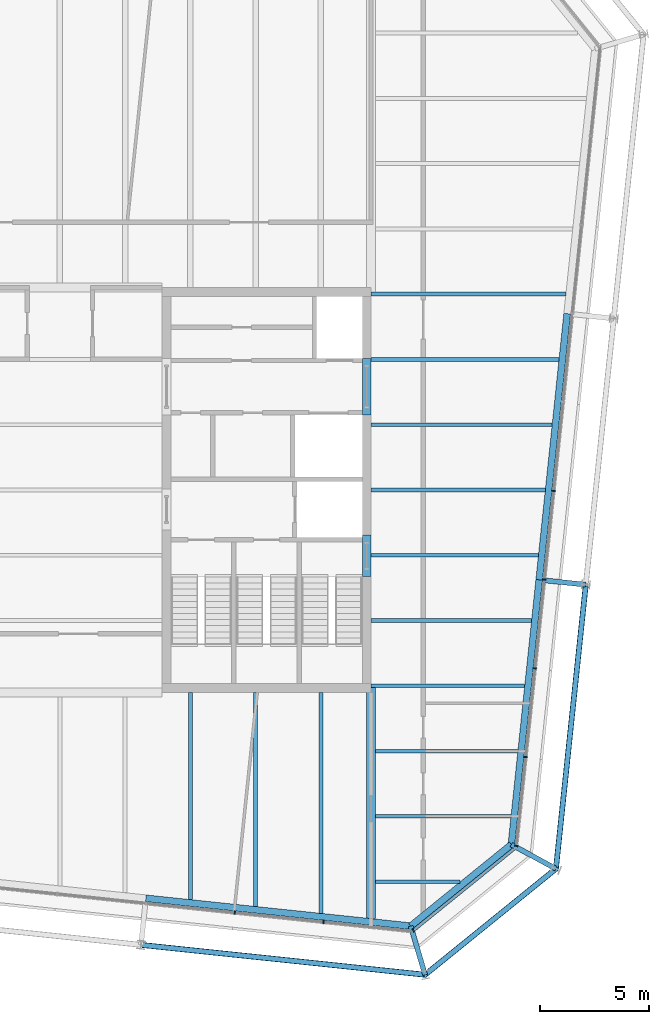
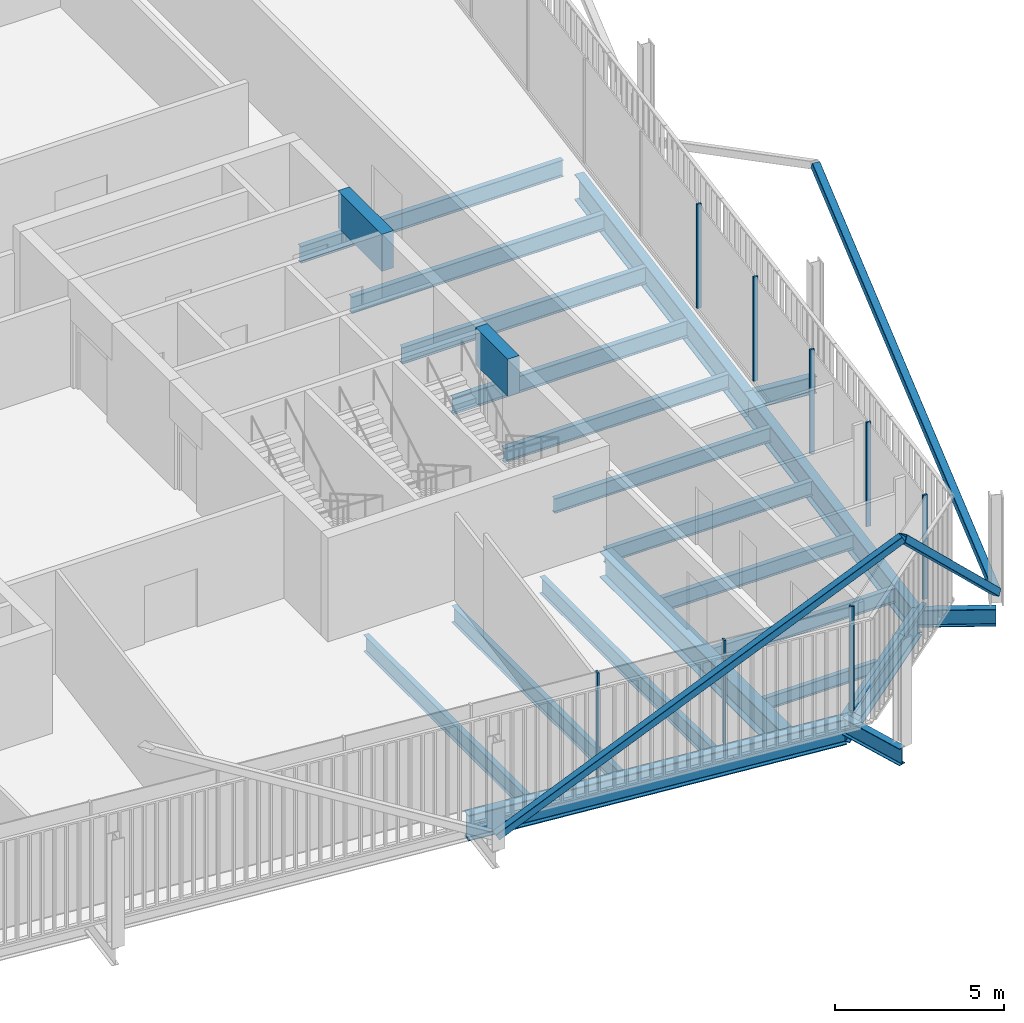
# One storey, part 9 of 21: 23 beams, 12 members, 3 elements without a shape of their own.
"""IFC4 building model written with IfcOpenShell, lengths in metres."""

from ifc_helpers import new_model, si_unit, direction, frame, origin, origin_2d, place, context, subcontext, project, spatial, rectangle, hollow_rectangle, i_section, extrude, material, layer, layer_set, material_profile, profile_set, type_object, element, aggregate, save


model = new_model("IFC4")

# Units and contexts
model_context = context("Model", 3, precision=1e-05, world=origin(), true_north=direction((0.0, 1.0)))
body_context = subcontext(model_context, "Body", "Model", "MODEL_VIEW")
ifc_project = project(units=[si_unit("LENGTHUNIT", "METRE"), si_unit("AREAUNIT", "SQUARE_METRE"), si_unit("VOLUMEUNIT", "CUBIC_METRE"), si_unit("PLANEANGLEUNIT", "RADIAN"), si_unit("MASSUNIT", "GRAM", prefix="KILO")], contexts=[model_context])

# Site, building, storey
site_placement = place(None, origin())
site = spatial("IfcSite", under=ifc_project, at=site_placement, CompositionType="ELEMENT")
building_placement = place(site_placement, origin())
building = spatial("IfcBuilding", under=site, at=building_placement, Name="Millrace Tower", CompositionType="ELEMENT")
storey_placement = place(building_placement, frame((0.0, 0.0, 299.39990234375)))
storey = spatial("IfcBuildingStorey", under=building, at=storey_placement, Name="L69", CompositionType="ELEMENT", Elevation=299.39990234375)

# Curtain wall, members
ifc_material_1 = material(Name="Aluminium and glass", Category="aluminium")
ifc_layer = layer(ifc_material_1, 0.14990234375)
ifc_layer_set = layer_set([ifc_layer], Name="Aluminium and glass")
curtain_wall_type = type_object("IfcCurtainWallType", Name="CW-1 office vision curtain wall", PredefinedType="NOTDEFINED", material=ifc_layer_set)
placement = place(storey_placement, origin())
curtain_wall_1 = element("IfcCurtainWall", 1, at=placement, inside=storey, type_object=curtain_wall_type, Name="Curtain wall E-F02 L69", PredefinedType="NOTDEFINED")
ifc_material_2 = material(Name="Aluminium", Category="aluminium")
ifc_material_profile_1 = material_profile(ifc_material_2, rectangle(XDim=0.06494140625, YDim=0.14990234375, at=origin_2d()))
ifc_profile_set_1 = profile_set([ifc_material_profile_1], Name="Aluminium")
member_type_1 = type_object("IfcMemberType", Name="CW-1 office vision curtain wall mullion", PredefinedType="MULLION", material=ifc_profile_set_1)
member_1_placement = place(storey_placement, frame((8.040283203125, -19.4248046875, 0.14013671875), z_axis=(0.0, 0.0, 1.0), x_axis=(0.994521896217, -0.104528455196, 0.0)))
member_1 = element("IfcMember", 2, at=member_1_placement, type_object=member_type_1, Name="CW1 mullion E-F02.8", PredefinedType="MULLION", context=body_context, shape_type="SweptSolid", body=[
    extrude(rectangle(XDim=0.06494140625, YDim=0.14990234375, at=origin_2d()), origin(), (0.0, 0.0, 1.0), 3.760009765625),
])
member_2_placement = place(storey_placement, frame((12.117919921875, -19.853271484375, 0.14013671875), z_axis=(0.0, 0.0, 1.0), x_axis=(0.994521896217, -0.104528455196, 0.0)))
member_2 = element("IfcMember", 3, at=member_2_placement, type_object=member_type_1, Name="CW1 mullion E-F02.9", PredefinedType="MULLION", context=body_context, shape_type="SweptSolid", body=[
    extrude(rectangle(XDim=0.06494140625, YDim=0.14990234375, at=origin_2d()), origin(), (0.0, 0.0, 1.0), 3.760009765625),
])
aggregate(curtain_wall_1, [member_1, member_2])

# Curtain wall, member
curtain_wall_2 = element("IfcCurtainWall", 4, at=placement, inside=storey, type_object=curtain_wall_type, Name="Curtain wall E-F03 L69", PredefinedType="NOTDEFINED")
member_3_placement = place(storey_placement, frame((16.243408203125, -20.24169921875, 0.14013671875), z_axis=(0.0, 0.0, 1.0), x_axis=(0.777146052237, 0.629320278945, 0.0)))
member_3 = element("IfcMember", 5, at=member_3_placement, type_object=member_type_1, Name="CW1 mullion E-F03.1", PredefinedType="MULLION", context=body_context, shape_type="SweptSolid", body=[
    extrude(rectangle(XDim=0.06494140625, YDim=0.14990234375, at=origin_2d()), origin(), (0.0, 0.0, 1.0), 3.760009765625),
])

# Curtain wall, members
curtain_wall_3 = element("IfcCurtainWall", 6, at=placement, inside=storey, type_object=curtain_wall_type, Name="Curtain wall E-F04 L69", PredefinedType="NOTDEFINED")
member_4_placement = place(storey_placement, frame((20.974853515625, -16.3525390625, 0.14013671875), z_axis=(0.0, 0.0, 1.0), x_axis=(0.104528455196, 0.994521896217, 0.0)))
member_4 = element("IfcMember", 7, at=member_4_placement, type_object=member_type_1, Name="CW1 mullion E-F04.1", PredefinedType="MULLION", context=body_context, shape_type="SweptSolid", body=[
    extrude(rectangle(XDim=0.06494140625, YDim=0.14990234375, at=origin_2d()), origin(), (0.0, 0.0, 1.0), 3.760009765625),
])
member_5_placement = place(storey_placement, frame((21.4033203125, -12.27490234375, 0.14013671875), z_axis=(0.0, 0.0, 1.0), x_axis=(0.104528455196, 0.994521896217, 0.0)))
member_5 = element("IfcMember", 8, at=member_5_placement, type_object=member_type_1, Name="CW1 mullion E-F04.2", PredefinedType="MULLION", context=body_context, shape_type="SweptSolid", body=[
    extrude(rectangle(XDim=0.06494140625, YDim=0.14990234375, at=origin_2d()), origin(), (0.0, 0.0, 1.0), 3.760009765625),
])
member_6_placement = place(storey_placement, frame((21.83203125, -8.197509765625, 0.14013671875), z_axis=(0.0, 0.0, 1.0), x_axis=(0.104528455196, 0.994521896217, 0.0)))
member_6 = element("IfcMember", 9, at=member_6_placement, type_object=member_type_1, Name="CW1 mullion E-F04.3", PredefinedType="MULLION", context=body_context, shape_type="SweptSolid", body=[
    extrude(rectangle(XDim=0.06494140625, YDim=0.14990234375, at=origin_2d()), origin(), (0.0, 0.0, 1.0), 3.760009765625),
])
member_7_placement = place(storey_placement, frame((22.260498046875, -4.119873046875, 0.14013671875), z_axis=(0.0, 0.0, 1.0), x_axis=(0.104528455196, 0.994521896217, 0.0)))
member_7 = element("IfcMember", 10, at=member_7_placement, type_object=member_type_1, Name="CW1 mullion E-F04.4", PredefinedType="MULLION", context=body_context, shape_type="SweptSolid", body=[
    extrude(rectangle(XDim=0.06494140625, YDim=0.14990234375, at=origin_2d()), origin(), (0.0, 0.0, 1.0), 3.760009765625),
])
member_8_placement = place(storey_placement, frame((22.68896484375, -0.042236328125, 0.14013671875), z_axis=(0.0, 0.0, 1.0), x_axis=(0.104528455196, 0.994521896217, 0.0)))
member_8 = element("IfcMember", 11, at=member_8_placement, type_object=member_type_1, Name="CW1 mullion E-F04.5", PredefinedType="MULLION", context=body_context, shape_type="SweptSolid", body=[
    extrude(rectangle(XDim=0.06494140625, YDim=0.14990234375, at=origin_2d()), origin(), (0.0, 0.0, 1.0), 3.760009765625),
])
aggregate(curtain_wall_3, [member_4, member_5, member_6, member_7, member_8])

# Member
ifc_material_3 = material(Name="Aluminium", Category="aluminium")
ifc_material_profile_2 = material_profile(ifc_material_3, rectangle(XDim=0.14990234375, YDim=0.139892578125, at=origin_2d()))
ifc_profile_set_2 = profile_set([ifc_material_profile_2], Name="Aluminium")
member_type_2 = type_object("IfcMemberType", Name="CW-1 office vision curtain wall transom", PredefinedType="USERDEFINED", material=ifc_profile_set_2)
member_9_placement = place(storey_placement, frame((16.2958984375, -20.19921875, 0.070068359375), z_axis=(0.77714915117, 0.629316452061, 0.0), x_axis=(-0.629316452061, 0.77714915117, 0.0)))
member_9 = element("IfcMember", 12, at=member_9_placement, type_object=member_type_2, Name="CW1 transom E-F03.1", ObjectType="TRANSOM", PredefinedType="USERDEFINED", context=body_context, shape_type="SweptSolid", body=[
    extrude(rectangle(XDim=0.14990234375, YDim=0.139892578125, at=origin_2d()), origin(), (0.0, 0.0, 1.0), 5.880859375),
])

aggregate(curtain_wall_2, [member_3, member_9])

# Beams
ifc_material_4 = material(Name="Concrete C60", Category="concrete")
ifc_material_profile_3 = material_profile(ifc_material_4, rectangle(XDim=0.39990234375, YDim=1.340087890625, at=origin_2d()))
ifc_profile_set_3 = profile_set([ifc_material_profile_3], Name="Concrete C60")
beam_type_1 = type_object("IfcBeamType", Name="Coupling beam 400 x 1340 Concrete C60, 1300 opening", PredefinedType="BEAM", material=ifc_profile_set_3)
beam_1_placement = place(storey_placement, frame((14.10009765625, -2.080078125, 3.070068359375), z_axis=(0.0, -1.0, 0.0), x_axis=(1.0, 0.0, 0.0)))
element("IfcBeam", 13, at=beam_1_placement, inside=storey, type_object=beam_type_1, Name="Coupling beam E L69", PredefinedType="BEAM", context=body_context, shape_type="SweptSolid", body=[
    extrude(rectangle(XDim=0.39990234375, YDim=1.340087890625, at=origin_2d()), origin(), (0.0, 0.0, 1.0), 1.89990234375),
])
ifc_material_5 = material(Name="Concrete C60", Category="concrete")
ifc_material_profile_4 = material_profile(ifc_material_5, rectangle(XDim=0.39990234375, YDim=1.340087890625, at=origin_2d()))
ifc_profile_set_4 = profile_set([ifc_material_profile_4], Name="Concrete C60")
beam_type_2 = type_object("IfcBeamType", Name="Coupling beam 400 x 1340 Concrete C60, 2000 opening", PredefinedType="BEAM", material=ifc_profile_set_4)
beam_2_placement = place(storey_placement, frame((14.10009765625, 6.050048828125, 3.070068359375), z_axis=(0.0, -1.0, 0.0), x_axis=(1.0, 0.0, 0.0)))
element("IfcBeam", 14, at=beam_2_placement, inside=storey, type_object=beam_type_2, Name="Coupling beam E L69", PredefinedType="BEAM", context=body_context, shape_type="SweptSolid", body=[
    extrude(rectangle(XDim=0.39990234375, YDim=1.340087890625, at=origin_2d()), origin(), (0.0, 0.0, 1.0), 2.60009765625),
])

# Members
ifc_material_6 = material(Name="Steel ASTM A500 Grade C", Category="steel")
ifc_material_profile_5 = material_profile(ifc_material_6, hollow_rectangle(XDim=0.25390625, YDim=0.25390625, WallThickness=0.0126953125, InnerFilletRadius=0.00634765625, OuterFilletRadius=0.01904296875, at=origin_2d()))
ifc_profile_set_5 = profile_set([ifc_material_profile_5], Name="Steel ASTM A500 Grade C")
member_type_3 = type_object("IfcMemberType", Name="Exoskeleton brace HSS10x10x1/2", PredefinedType="BRACE", material=ifc_profile_set_5)
member_10_placement = place(storey_placement, frame((3.729248046875, -20.9072265625, 0.400146484375), z_axis=(0.877568210125, -0.092238278747, 0.470495628578), x_axis=(0.104530865473, 0.994521642883, 0.0)))
element("IfcMember", 15, at=member_10_placement, inside=storey, type_object=member_type_3, Name="BRC-E-L69-04", PredefinedType="BRACE", context=body_context, shape_type="SweptSolid", body=[
    extrude(hollow_rectangle(XDim=0.25390625, YDim=0.25390625, WallThickness=0.0126953125, InnerFilletRadius=0.00634765625, OuterFilletRadius=0.01904296875, at=origin_2d()), origin(), (0.0, 0.0, 1.0), 14.8779296875),
])
member_11_placement = place(storey_placement, frame((22.79931640625, -17.409912109375, 0.400146484375), z_axis=(-0.576329152125, -0.466688099557, 0.670855369021), x_axis=(0.629308952043, -0.777155224442, 0.0)))
element("IfcMember", 16, at=member_11_placement, inside=storey, type_object=member_type_3, Name="BRC-E-L69-05", PredefinedType="BRACE", context=body_context, shape_type="SweptSolid", body=[
    extrude(hollow_rectangle(XDim=0.25390625, YDim=0.25390625, WallThickness=0.0126953125, InnerFilletRadius=0.00634765625, OuterFilletRadius=0.01904296875, at=origin_2d()), origin(), (0.0, 0.0, 1.0), 10.434326171875),
])
member_12_placement = place(storey_placement, frame((22.79931640625, -17.409912109375, 0.400146484375), z_axis=(0.092236950483, 0.877571982182, 0.470488853274), x_axis=(-0.994521846076, 0.104528932251, 0.0)))
element("IfcMember", 17, at=member_12_placement, inside=storey, type_object=member_type_3, Name="BRC-E-L69-06", PredefinedType="BRACE", context=body_context, shape_type="SweptSolid", body=[
    extrude(hollow_rectangle(XDim=0.25390625, YDim=0.25390625, WallThickness=0.0126953125, InnerFilletRadius=0.00634765625, OuterFilletRadius=0.01904296875, at=origin_2d()), origin(), (0.0, 0.0, 1.0), 14.878173828125),
])

# Beams
ifc_material_7 = material(Name="Steel ASTM A992 Grade 50", Category="steel")
ifc_material_profile_6 = material_profile(ifc_material_7, i_section(OverallWidth=0.15234375, OverallDepth=0.449462890625, WebThickness=0.007568359375, FlangeThickness=0.0107421875, FilletRadius=0.01025390625, at=origin_2d()))
ifc_profile_set_6 = profile_set([ifc_material_profile_6], Name="Steel ASTM A992 Grade 50")
beam_type_3 = type_object("IfcBeamType", Name="Floor beam W18x35", PredefinedType="JOIST", material=ifc_profile_set_6)
beam_3_placement = place(storey_placement, frame((14.509521484375, -18.0, -0.384765625), z_axis=(1.0, 0.0, 0.0), x_axis=(0.0, 1.0, 0.0)))
element("IfcBeam", 18, at=beam_3_placement, inside=storey, type_object=beam_type_3, Name="BM-E-L69-S1-S001", PredefinedType="JOIST", context=body_context, shape_type="SweptSolid", body=[
    extrude(i_section(OverallWidth=0.15234375, OverallDepth=0.449462890625, WebThickness=0.007568359375, FlangeThickness=0.0107421875, FilletRadius=0.01025390625, at=origin_2d()), origin(), (0.0, 0.0, 1.0), 3.87060546875),
])
ifc_material_8 = material(Name="Steel ASTM A992 Grade 50", Category="steel")
ifc_material_profile_7 = material_profile(ifc_material_8, i_section(OverallWidth=0.1650390625, OverallDepth=0.52587890625, WebThickness=0.0087890625, FlangeThickness=0.011474609375, FilletRadius=0.0126953125, at=origin_2d()))
ifc_profile_set_7 = profile_set([ifc_material_profile_7], Name="Steel ASTM A992 Grade 50")
beam_type_4 = type_object("IfcBeamType", Name="Floor beam W21x44", PredefinedType="JOIST", material=ifc_profile_set_7)
beam_4_placement = place(storey_placement, frame((14.509521484375, -15.0, -0.4228515625), z_axis=(1.0, 0.0, 0.0), x_axis=(0.0, 1.0, 0.0)))
element("IfcBeam", 19, at=beam_4_placement, inside=storey, type_object=beam_type_4, Name="BM-E-L69-S1-S003", PredefinedType="JOIST", context=body_context, shape_type="SweptSolid", body=[
    extrude(i_section(OverallWidth=0.1650390625, OverallDepth=0.52587890625, WebThickness=0.0087890625, FlangeThickness=0.011474609375, FilletRadius=0.0126953125, at=origin_2d()), origin(), (0.0, 0.0, 1.0), 6.222900390625),
])
beam_5_placement = place(storey_placement, frame((14.509521484375, -12.0, -0.4228515625), z_axis=(1.0, 0.0, 0.0), x_axis=(0.0, 1.0, 0.0)))
element("IfcBeam", 20, at=beam_5_placement, inside=storey, type_object=beam_type_4, Name="BM-E-L69-S1-S005", PredefinedType="JOIST", context=body_context, shape_type="SweptSolid", body=[
    extrude(i_section(OverallWidth=0.1650390625, OverallDepth=0.52587890625, WebThickness=0.0087890625, FlangeThickness=0.011474609375, FilletRadius=0.0126953125, at=origin_2d()), origin(), (0.0, 0.0, 1.0), 6.538330078125),
])
beam_6_placement = place(storey_placement, frame((14.300048828125, -9.0, -0.4228515625), z_axis=(1.0, 0.0, 0.0), x_axis=(0.0, 1.0, 0.0)))
element("IfcBeam", 21, at=beam_6_placement, inside=storey, type_object=beam_type_4, Name="BM-E-L69-S1-S007", PredefinedType="JOIST", context=body_context, shape_type="SweptSolid", body=[
    extrude(i_section(OverallWidth=0.1650390625, OverallDepth=0.52587890625, WebThickness=0.0087890625, FlangeThickness=0.011474609375, FilletRadius=0.0126953125, at=origin_2d()), origin(), (0.0, 0.0, 1.0), 7.06298828125),
])
beam_7_placement = place(storey_placement, frame((14.300048828125, -6.0, -0.4228515625), z_axis=(1.0, 0.0, 0.0), x_axis=(0.0, 1.0, 0.0)))
element("IfcBeam", 22, at=beam_7_placement, inside=storey, type_object=beam_type_4, Name="BM-E-L69-S1-S010", PredefinedType="JOIST", context=body_context, shape_type="SweptSolid", body=[
    extrude(i_section(OverallWidth=0.1650390625, OverallDepth=0.52587890625, WebThickness=0.0087890625, FlangeThickness=0.011474609375, FilletRadius=0.0126953125, at=origin_2d()), origin(), (0.0, 0.0, 1.0), 7.37841796875),
])
beam_8_placement = place(storey_placement, frame((14.300048828125, -3.0, -0.4228515625), z_axis=(1.0, 0.0, 0.0), x_axis=(0.0, 1.0, 0.0)))
element("IfcBeam", 23, at=beam_8_placement, inside=storey, type_object=beam_type_4, Name="BM-E-L69-S1-S013", PredefinedType="JOIST", context=body_context, shape_type="SweptSolid", body=[
    extrude(i_section(OverallWidth=0.1650390625, OverallDepth=0.52587890625, WebThickness=0.0087890625, FlangeThickness=0.011474609375, FilletRadius=0.0126953125, at=origin_2d()), origin(), (0.0, 0.0, 1.0), 7.693603515625),
])
ifc_material_9 = material(Name="Steel ASTM A992 Grade 50", Category="steel")
ifc_material_profile_8 = material_profile(ifc_material_9, i_section(OverallWidth=0.177978515625, OverallDepth=0.599365234375, WebThickness=0.010009765625, FlangeThickness=0.012939453125, FilletRadius=0.012939453125, at=origin_2d()))
ifc_profile_set_8 = profile_set([ifc_material_profile_8], Name="Steel ASTM A992 Grade 50")
beam_type_5 = type_object("IfcBeamType", Name="Floor beam W24x55", PredefinedType="JOIST", material=ifc_profile_set_8)
beam_9_placement = place(storey_placement, frame((14.300048828125, 0.0, -0.459716796875), z_axis=(1.0, 0.0, 0.0), x_axis=(0.0, 1.0, 0.0)))
element("IfcBeam", 24, at=beam_9_placement, inside=storey, type_object=beam_type_5, Name="BM-E-L69-S1-S016", PredefinedType="JOIST", context=body_context, shape_type="SweptSolid", body=[
    extrude(i_section(OverallWidth=0.177978515625, OverallDepth=0.599365234375, WebThickness=0.010009765625, FlangeThickness=0.012939453125, FilletRadius=0.012939453125, at=origin_2d()), origin(), (0.0, 0.0, 1.0), 8.009033203125),
])
beam_10_placement = place(storey_placement, frame((14.300048828125, 3.0, -0.459716796875), z_axis=(1.0, 0.0, 0.0), x_axis=(0.0, 1.0, 0.0)))
element("IfcBeam", 25, at=beam_10_placement, inside=storey, type_object=beam_type_5, Name="BM-E-L69-S1-S019", PredefinedType="JOIST", context=body_context, shape_type="SweptSolid", body=[
    extrude(i_section(OverallWidth=0.177978515625, OverallDepth=0.599365234375, WebThickness=0.010009765625, FlangeThickness=0.012939453125, FilletRadius=0.012939453125, at=origin_2d()), origin(), (0.0, 0.0, 1.0), 8.324462890625),
])
beam_11_placement = place(storey_placement, frame((14.300048828125, 6.0, -0.459716796875), z_axis=(1.0, 0.0, 0.0), x_axis=(0.0, 1.0, 0.0)))
element("IfcBeam", 26, at=beam_11_placement, inside=storey, type_object=beam_type_5, Name="BM-E-L69-S1-S022", PredefinedType="JOIST", context=body_context, shape_type="SweptSolid", body=[
    extrude(i_section(OverallWidth=0.177978515625, OverallDepth=0.599365234375, WebThickness=0.010009765625, FlangeThickness=0.012939453125, FilletRadius=0.012939453125, at=origin_2d()), origin(), (0.0, 0.0, 1.0), 8.6396484375),
])
beam_12_placement = place(storey_placement, frame((14.300048828125, 9.0, -0.459716796875), z_axis=(1.0, 0.0, 0.0), x_axis=(0.0, 1.0, 0.0)))
element("IfcBeam", 27, at=beam_12_placement, inside=storey, type_object=beam_type_5, Name="BM-E-L69-S1-S024", PredefinedType="JOIST", context=body_context, shape_type="SweptSolid", body=[
    extrude(i_section(OverallWidth=0.177978515625, OverallDepth=0.599365234375, WebThickness=0.010009765625, FlangeThickness=0.012939453125, FilletRadius=0.012939453125, at=origin_2d()), origin(), (0.0, 0.0, 1.0), 8.955078125),
])
beam_13_placement = place(storey_placement, frame((6.0, -18.825927734375, -0.459716796875), z_axis=(0.0, 1.0, 0.0), x_axis=(-1.0, 0.0, 0.0)))
element("IfcBeam", 28, at=beam_13_placement, inside=storey, type_object=beam_type_5, Name="BM-E-L69-S1-S049", PredefinedType="JOIST", context=body_context, shape_type="SweptSolid", body=[
    extrude(i_section(OverallWidth=0.177978515625, OverallDepth=0.599365234375, WebThickness=0.010009765625, FlangeThickness=0.012939453125, FilletRadius=0.012939453125, at=origin_2d()), origin(), (0.0, 0.0, 1.0), 9.52587890625),
])
beam_14_placement = place(storey_placement, frame((9.0, -19.14111328125, -0.459716796875), z_axis=(0.0, 1.0, 0.0), x_axis=(-1.0, 0.0, 0.0)))
element("IfcBeam", 29, at=beam_14_placement, inside=storey, type_object=beam_type_5, Name="BM-E-L69-S1-S051", PredefinedType="JOIST", context=body_context, shape_type="SweptSolid", body=[
    extrude(i_section(OverallWidth=0.177978515625, OverallDepth=0.599365234375, WebThickness=0.010009765625, FlangeThickness=0.012939453125, FilletRadius=0.012939453125, at=origin_2d()), origin(), (0.0, 0.0, 1.0), 9.841064453125),
])
ifc_material_10 = material(Name="Steel ASTM A992 Grade 50", Category="steel")
ifc_material_profile_9 = material_profile(ifc_material_10, i_section(OverallWidth=0.1787109375, OverallDepth=0.60205078125, WebThickness=0.010986328125, FlangeThickness=0.014892578125, FilletRadius=0.0126953125, at=origin_2d()))
ifc_profile_set_9 = profile_set([ifc_material_profile_9], Name="Steel ASTM A992 Grade 50")
beam_type_6 = type_object("IfcBeamType", Name="Floor beam W24x62", PredefinedType="JOIST", material=ifc_profile_set_9)
beam_15_placement = place(storey_placement, frame((12.0, -19.45654296875, -0.4609375), z_axis=(0.0, 1.0, 0.0), x_axis=(-1.0, 0.0, 0.0)))
element("IfcBeam", 30, at=beam_15_placement, inside=storey, type_object=beam_type_6, Name="BM-E-L69-S1-S053", PredefinedType="JOIST", context=body_context, shape_type="SweptSolid", body=[
    extrude(i_section(OverallWidth=0.1787109375, OverallDepth=0.60205078125, WebThickness=0.010986328125, FlangeThickness=0.014892578125, FilletRadius=0.0126953125, at=origin_2d()), origin(), (0.0, 0.0, 1.0), 10.156494140625),
])
ifc_material_11 = material(Name="Steel ASTM A992 Grade 50", Category="steel")
ifc_material_profile_10 = material_profile(ifc_material_11, i_section(OverallWidth=0.419189453125, OverallDepth=0.927001953125, WebThickness=0.019287109375, FlangeThickness=0.031982421875, FilletRadius=0.024169921875, at=origin_2d()))
ifc_profile_set_10 = profile_set([ifc_material_profile_10], Name="Steel ASTM A992 Grade 50")
beam_type_7 = type_object("IfcBeamType", Name="Girder short span W36x231", PredefinedType="BEAM", material=ifc_profile_set_10)
beam_16_placement = place(storey_placement, frame((14.300048828125, -19.6982421875, -0.62353515625), z_axis=(0.0, 1.0, 0.0), x_axis=(-1.0, 0.0, 0.0)))
element("IfcBeam", 31, at=beam_16_placement, inside=storey, type_object=beam_type_7, Name="BM-E-L69-S1-G057", PredefinedType="BEAM", context=body_context, shape_type="SweptSolid", body=[
    extrude(i_section(OverallWidth=0.419189453125, OverallDepth=0.927001953125, WebThickness=0.019287109375, FlangeThickness=0.031982421875, FilletRadius=0.024169921875, at=origin_2d()), origin(), (0.0, 0.0, 1.0), 10.6142578125),
])
ifc_material_12 = material(Name="Steel ASTM A992 Grade 50", Category="steel")
ifc_material_profile_11 = material_profile(ifc_material_12, i_section(OverallWidth=0.23046875, OverallDepth=0.6171875, WebThickness=0.01318359375, FlangeThickness=0.022216796875, FilletRadius=0.012939453125, at=origin_2d()))
ifc_profile_set_11 = profile_set([ifc_material_profile_11], Name="Steel ASTM A992 Grade 50")
beam_type_8 = type_object("IfcBeamType", Name="Link beam W24x94", PredefinedType="BEAM", material=ifc_profile_set_11)
beam_17_placement = place(storey_placement, frame((22.1826171875, -4.144287109375, -0.468505859375), z_axis=(0.99452550138, -0.104494148666, 0.0), x_axis=(0.104494148666, 0.99452550138, 0.0)))
element("IfcBeam", 32, at=beam_17_placement, inside=storey, type_object=beam_type_8, Name="LNK-E-L69-S1-11", PredefinedType="BEAM", context=body_context, shape_type="SweptSolid", body=[
    extrude(i_section(OverallWidth=0.23046875, OverallDepth=0.6171875, WebThickness=0.01318359375, FlangeThickness=0.022216796875, FilletRadius=0.012939453125, at=origin_2d()), origin(), (0.0, 0.0, 1.0), 2.0),
])
for number, where, z_axis, x_axis, name in (
    (33, (20.750732421875, -16.297607421875, -0.468505859375), (0.87881453358, -0.477163510307, 0.0), (0.477163510307, 0.87881453358, 0.0), "LNK-E-L69-S1-12"),
    (34, (16.123779296875, -20.04443359375, -0.468505859375), (0.283934988541, -0.958843533785, 0.0), (0.958843533785, 0.283934988541, 0.0), "LNK-E-L69-S1-13"),
):
    element("IfcBeam", number, at=place(storey_placement, frame(where, z_axis=z_axis, x_axis=x_axis)), inside=storey, type_object=beam_type_8, Name=name, PredefinedType="BEAM", context=body_context, shape_type="SweptSolid", body=[
        extrude(i_section(OverallWidth=0.23046875, OverallDepth=0.6171875, WebThickness=0.01318359375, FlangeThickness=0.022216796875, FilletRadius=0.012939453125, at=origin_2d()), origin(), (0.0, 0.0, 1.0), 2.3310546875),
    ])
ifc_material_13 = material(Name="Steel ASTM A992 Grade 50", Category="steel")
ifc_material_profile_12 = material_profile(ifc_material_13, i_section(OverallWidth=0.307373046875, OverallDepth=0.927001953125, WebThickness=0.01953125, FlangeThickness=0.031982421875, FilletRadius=0.01904296875, at=origin_2d()))
ifc_profile_set_12 = profile_set([ifc_material_profile_12], Name="Steel ASTM A992 Grade 50")
beam_type_9 = type_object("IfcBeamType", Name="Ring beam medium span W36x194", PredefinedType="SPANDREL", material=ifc_profile_set_12)
beam_18_placement = place(storey_placement, frame((23.3154296875, 8.104248046875, -0.62353515625), z_axis=(-0.10452566363, -0.994522189618, 0.0), x_axis=(0.994522189618, -0.10452566363, 0.0)))
element("IfcBeam", 35, at=beam_18_placement, inside=storey, type_object=beam_type_9, Name="RNG-E-L69-S1-10", PredefinedType="SPANDREL", context=body_context, shape_type="SweptSolid", body=[
    extrude(i_section(OverallWidth=0.307373046875, OverallDepth=0.927001953125, WebThickness=0.01953125, FlangeThickness=0.031982421875, FilletRadius=0.01904296875, at=origin_2d()), origin(), (0.0, 0.0, 1.0), 12.2998046875),
])
for number, where, z_axis, x_axis, name in (
    (36, (22.02978515625, -4.128173828125, -0.62353515625), (-0.104527955888, -0.994521948696, 0.0), (0.994521948696, -0.104527955888, 0.0), "RNG-E-L69-S1-11"),
    (37, (16.123779296875, -20.04443359375, -0.62353515625), (-0.994521948696, 0.104527955888, 0.0), (-0.104527955888, -0.994521948696, 0.0), "RNG-E-L69-S1-13"),
):
    element("IfcBeam", number, at=place(storey_placement, frame(where, z_axis=z_axis, x_axis=x_axis)), inside=storey, type_object=beam_type_9, Name=name, PredefinedType="SPANDREL", context=body_context, shape_type="SweptSolid", body=[
        extrude(i_section(OverallWidth=0.307373046875, OverallDepth=0.927001953125, WebThickness=0.01953125, FlangeThickness=0.031982421875, FilletRadius=0.01904296875, at=origin_2d()), origin(), (0.0, 0.0, 1.0), 12.236572265625),
    ])
ifc_material_14 = material(Name="Steel ASTM A992 Grade 50", Category="steel")
ifc_material_profile_13 = material_profile(ifc_material_14, i_section(OverallWidth=0.307373046875, OverallDepth=0.927001953125, WebThickness=0.01953125, FlangeThickness=0.031982421875, FilletRadius=0.01904296875, at=origin_2d()))
ifc_profile_set_13 = profile_set([ifc_material_profile_13], Name="Steel ASTM A992 Grade 50")
beam_type_10 = type_object("IfcBeamType", Name="Ring beam short span W36x194", PredefinedType="SPANDREL", material=ifc_profile_set_13)
beam_19_placement = place(storey_placement, frame((20.750732421875, -16.297607421875, -0.62353515625), z_axis=(-0.777146502883, -0.629319722443, 0.0), x_axis=(0.629319722443, -0.777146502883, 0.0)))
element("IfcBeam", 38, at=beam_19_placement, inside=storey, type_object=beam_type_10, Name="RNG-E-L69-S1-12", PredefinedType="SPANDREL", context=body_context, shape_type="SweptSolid", body=[
    extrude(i_section(OverallWidth=0.307373046875, OverallDepth=0.927001953125, WebThickness=0.01953125, FlangeThickness=0.031982421875, FilletRadius=0.01904296875, at=origin_2d()), origin(), (0.0, 0.0, 1.0), 5.953857421875),
])

save(model, "model.ifc")
